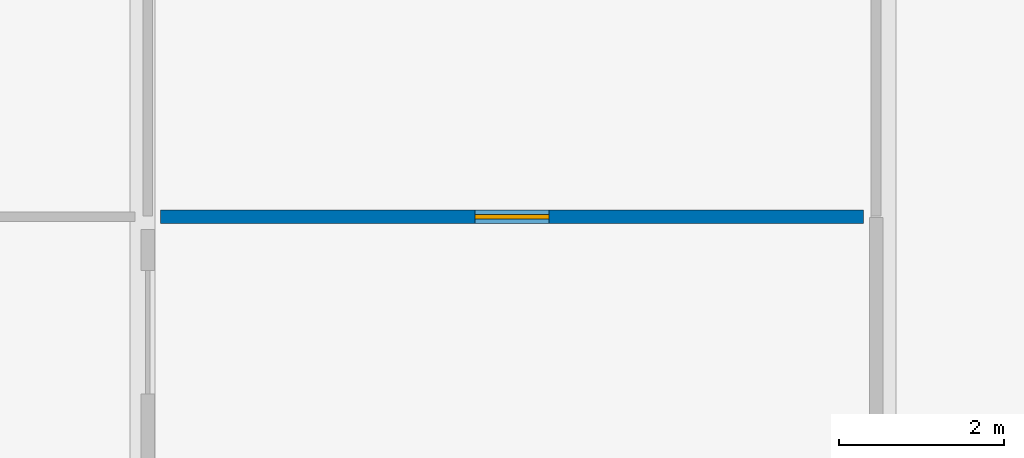
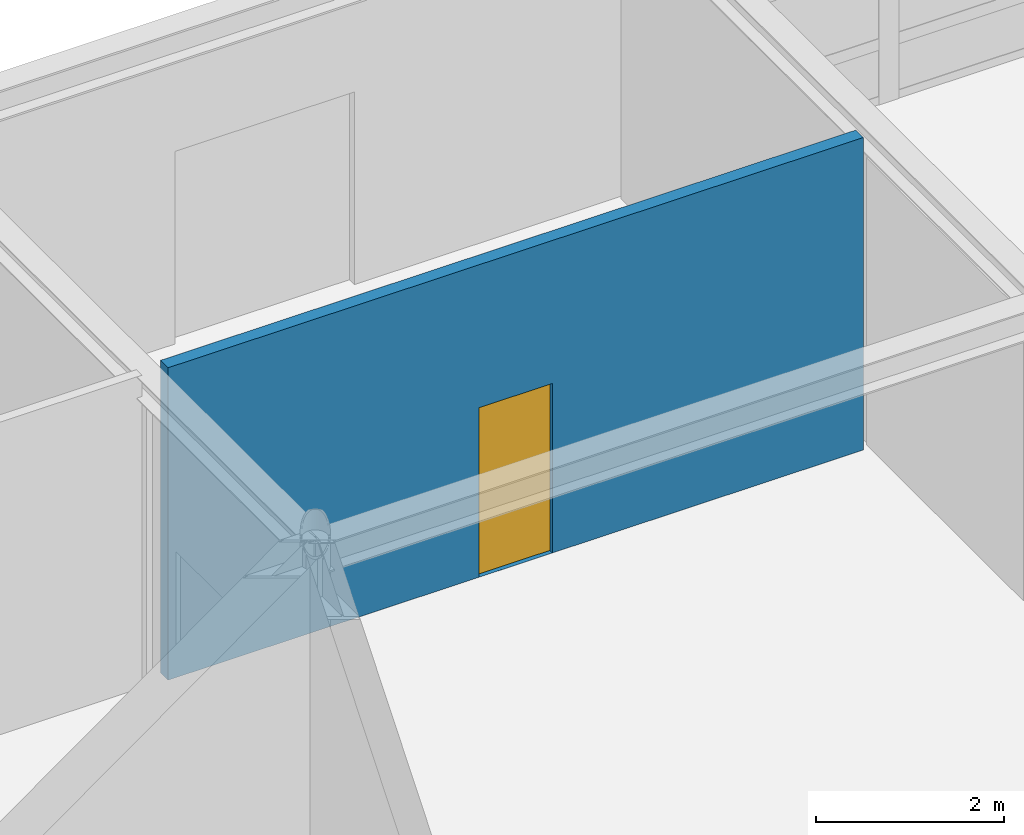
# One storey, part 60 of 72: 1 door, 1 wall, 1 opening.
"""IFC4 building model written with IfcOpenShell, lengths in metres."""

import ifcopenshell
import ifcopenshell.guid

model = None  # the IFC model being written
_history = None  # IfcOwnerHistory: only IFC2X3 demands one
_inside = {}  # id of a spatial element -> (the spatial element, [elements in it])
_under = {}  # id of a project, library or spatial element -> (it, [spatial elements below it])
_declared = {}  # id of a project -> (the project, [libraries it declares])
_typed = {}  # id of a type object -> (the type object, [elements of that type])
_made_of = {}  # id of a material, layer set ... -> (it, [elements and type objects made of it])


def new_model(schema):
    """Start an empty IFC model of exactly this schema.

    Asked for "IFC4X3", IfcOpenShell would pick the latest addendum, in which some entities
    have other attributes; the version numbers below select the first issue.
    IFC2X3 requires an IfcOwnerHistory on every rooted entity: one is made here for all.
    """
    global model, _history
    if schema == "IFC4X3":
        model = ifcopenshell.file(schema_version=(4, 3, 0, 0))
    else:
        model = ifcopenshell.file(schema=schema)
    _inside.clear()
    _under.clear()
    _declared.clear()
    _typed.clear()
    _made_of.clear()
    _history = None
    if model.schema == "IFC2X3":
        org = make("IfcOrganization", Name="unknown")
        user = make(
            "IfcPersonAndOrganization",
            ThePerson=make("IfcPerson", FamilyName="unknown"),
            TheOrganization=org,
        )
        app = make(
            "IfcApplication",
            ApplicationDeveloper=org,
            Version="unknown",
            ApplicationFullName="unknown",
            ApplicationIdentifier="unknown",
        )
        _history = make(
            "IfcOwnerHistory",
            OwningUser=user,
            OwningApplication=app,
            ChangeAction="ADDED",
            CreationDate=0,
        )
    return model


def make(cls, **values):
    """One entity of the class cls with the attributes given. An attribute that is None is left unset."""
    return model.create_entity(
        cls, **{name: value for name, value in values.items() if value is not None}
    )


def rooted(cls, **values):
    """An entity with a GlobalId (a new one), such as an element, a storey or a relation."""
    return make(cls, GlobalId=ifcopenshell.guid.new(), OwnerHistory=_history, **values)


def si_unit(unit_type, name, prefix=None):
    """IfcSIUnit, for example si_unit("LENGTHUNIT", "METRE", prefix="MILLI")."""
    return make("IfcSIUnit", UnitType=unit_type, Prefix=prefix, Name=name)


def assignment(units):
    """IfcUnitAssignment: the units of a project."""
    return None if units is None else make("IfcUnitAssignment", Units=units)


def point(xyz):
    """IfcCartesianPoint."""
    return None if xyz is None else make("IfcCartesianPoint", Coordinates=xyz)


def direction(xyz):
    """IfcDirection."""
    return None if xyz is None else make("IfcDirection", DirectionRatios=xyz)


def frame(location, z_axis=None, x_axis=None):
    """IfcAxis2Placement3D, a coordinate frame: its origin and axes. An axis left out is left unset."""
    return make(
        "IfcAxis2Placement3D",
        Location=point(location),
        Axis=direction(z_axis),
        RefDirection=direction(x_axis),
    )


def frame_2d(location, x_axis=None):
    """IfcAxis2Placement2D, a coordinate frame in the plane: its origin and x axis."""
    return make(
        "IfcAxis2Placement2D", Location=point(location), RefDirection=direction(x_axis)
    )


def origin():
    """The frame at (0, 0, 0) with its axes left unset."""
    return frame((0.0, 0.0, 0.0))


def place(relative_to, where):
    """IfcLocalPlacement: puts the frame where relative to a parent placement (None: the world)."""
    return make(
        "IfcLocalPlacement", PlacementRelTo=relative_to, RelativePlacement=where
    )


def context(
    kind, dimensions, precision=None, world=None, true_north=None, identifier=None
):
    """IfcGeometricRepresentationContext, for example the 3D "Model" context."""
    return make(
        "IfcGeometricRepresentationContext",
        ContextIdentifier=identifier,
        ContextType=kind,
        CoordinateSpaceDimension=dimensions,
        Precision=precision,
        WorldCoordinateSystem=world,
        TrueNorth=true_north,
    )


def subcontext(parent, identifier, kind, view, scale=None):
    """IfcGeometricRepresentationSubContext, for example "Body" below "Model"."""
    return make(
        "IfcGeometricRepresentationSubContext",
        ContextIdentifier=identifier,
        ContextType=kind,
        ParentContext=parent,
        TargetScale=scale,
        TargetView=view,
    )


def project(units=None, contexts=None):
    """IfcProject with its units and contexts."""
    return rooted(
        "IfcProject",
        Name="project",
        RepresentationContexts=contexts,
        UnitsInContext=assignment(units),
    )


def spatial(cls, under=None, at=None, **own):
    """A site, building, storey or space (cls), placed at a placement, below another one or the project."""
    s = rooted(cls, ObjectPlacement=at, **own)
    if under is not None:
        _under.setdefault(under.id(), (under, []))[1].append(s)
    return s


def profile(cls, at=None, kind="AREA", **sizes):
    """A parametric profile (cls). Its sizes go by their IFC names, for example OverallWidth=200.0."""
    return make(cls, ProfileType=kind, Position=at, **sizes)


def rectangle(**sizes):
    """IfcRectangleProfileDef."""
    return profile("IfcRectangleProfileDef", **sizes)


def extrude(swept, where, along, depth):
    """IfcExtrudedAreaSolid: the profile swept, set in the frame where, extruded along a direction by depth."""
    return make(
        "IfcExtrudedAreaSolid",
        SweptArea=swept,
        Position=where,
        ExtrudedDirection=direction(along),
        Depth=depth,
    )


def shape(context_of_items, identifier, shape_type, items):
    """IfcShapeRepresentation: the items that make up one representation, for example the "Body"."""
    return make(
        "IfcShapeRepresentation",
        ContextOfItems=context_of_items,
        RepresentationIdentifier=identifier,
        RepresentationType=shape_type,
        Items=items,
    )


def material(Name=None, Category=None):
    """IfcMaterial."""
    return make("IfcMaterial", Name=Name, Category=Category)


def layer(
    of_material, thickness, ventilated=None, Name=None, Category=None, Priority=None
):
    """IfcMaterialLayer: one layer of a wall or slab, of a material (None: an air gap)."""
    return make(
        "IfcMaterialLayer",
        Material=of_material,
        LayerThickness=thickness,
        IsVentilated=ventilated,
        Name=Name,
        Category=Category,
        Priority=Priority,
    )


def layer_set(layers, Name=None):
    """IfcMaterialLayerSet."""
    return make("IfcMaterialLayerSet", MaterialLayers=layers, LayerSetName=Name)


def made_of(thing, what):
    """Note that an element or type object is made of a material, layer set ...; save() writes the relation."""
    if what is not None:
        _made_of.setdefault(what.id(), (what, []))[1].append(thing)
    return thing


def type_object(cls, material=None, **own):
    """A type object (cls), such as IfcWallType, which elements share."""
    return made_of(rooted(cls, **own), material)


def element(
    cls,
    number,
    at=None,
    inside=None,
    cuts=None,
    type_object=None,
    material=None,
    context=None,
    identifier="Body",
    shape_type=None,
    held_by="IfcProductDefinitionShape",
    body=None,
    shapes=None,
    **own,
):
    """One element of the class cls, such as IfcWall. Its Tag is "e" and its number.

    at: its placement. inside: the storey or other place that contains it. cuts: it is an
    opening in that element (IfcRelVoidsElement). A single representation is given by context,
    identifier, shape_type and body (its items); several are given by shapes. held_by: the class
    of the entity that holds the representations. save() writes the other relations.
    """
    e = rooted(cls, Tag="e%d" % number, ObjectPlacement=at, **own)
    if body is not None:
        shapes = [shape(context, identifier, shape_type, body)]
    if shapes is not None:
        e.Representation = make(held_by, Representations=shapes)
    if inside is not None:
        _inside.setdefault(inside.id(), (inside, []))[1].append(e)
    if cuts is not None:
        rooted(
            "IfcRelVoidsElement", RelatingBuildingElement=cuts, RelatedOpeningElement=e
        )
    if type_object is not None:
        _typed.setdefault(type_object.id(), (type_object, []))[1].append(e)
    return made_of(e, material)


def fill(opening, filler):
    """IfcRelFillsElement: the door or window that sits in an opening."""
    return rooted(
        "IfcRelFillsElement",
        RelatingOpeningElement=opening,
        RelatedBuildingElement=filler,
    )


def aggregate(whole, parts):
    """IfcRelAggregates: a whole, such as a stair, and the parts it consists of."""
    return rooted("IfcRelAggregates", RelatingObject=whole, RelatedObjects=parts)


def save(model, path):
    """Write the relations noted so far, then the file.

    IfcRelAggregates (storeys below a building ...), IfcRelContainedInSpatialStructure (elements
    in a storey), IfcRelDefinesByType, IfcRelAssociatesMaterial and IfcRelDeclares: one each for
    every whole, place, type object, material and project.
    """
    for whole, parts in _under.values():
        aggregate(whole, parts)
    for where, things in _inside.values():
        rooted(
            "IfcRelContainedInSpatialStructure",
            RelatedElements=things,
            RelatingStructure=where,
        )
    for kind, things in _typed.values():
        rooted("IfcRelDefinesByType", RelatedObjects=things, RelatingType=kind)
    for what, things in _made_of.values():
        rooted("IfcRelAssociatesMaterial", RelatedObjects=things, RelatingMaterial=what)
    for by, libraries in _declared.values():
        rooted("IfcRelDeclares", RelatingContext=by, RelatedDefinitions=libraries)
    model.write(path)


model = new_model("IFC4")

# Units and contexts
model_context = context("Model", 3, precision=1e-05, world=origin(), true_north=direction((0.0, 1.0)))
body_context = subcontext(model_context, "Body", "Model", "MODEL_VIEW")
ifc_project = project(units=[si_unit("LENGTHUNIT", "METRE"), si_unit("AREAUNIT", "SQUARE_METRE"), si_unit("VOLUMEUNIT", "CUBIC_METRE"), si_unit("PLANEANGLEUNIT", "RADIAN"), si_unit("MASSUNIT", "GRAM", prefix="KILO")], contexts=[model_context])

# Site, building, storey
site_placement = place(None, origin())
site = spatial("IfcSite", under=ifc_project, at=site_placement, CompositionType="ELEMENT")
building_placement = place(site_placement, origin())
building = spatial("IfcBuilding", under=site, at=building_placement, Name="Palais des Congres Ocreval", CompositionType="ELEMENT")
storey_placement = place(building_placement, origin())
storey = spatial("IfcBuildingStorey", under=building, at=storey_placement, Name="L00", CompositionType="ELEMENT", Elevation=0.0)

# Wall, opening, door
ifc_material_1 = material(Name="Gypsum acoustic partition")
ifc_layer = layer(ifc_material_1, 0.159912109375)
ifc_layer_set = layer_set([ifc_layer], Name="Corridor Fire Partition 160 Gypsum (Gypsum acoustic partition)")
wall_type = type_object("IfcWallType", Name="Corridor Fire Partition 160 Gypsum", PredefinedType="PARTITIONING", material=ifc_layer_set)
wall_placement = place(storey_placement, frame((117.219970703125, 57.590087890625, 0.0), z_axis=(0.0, 0.0, 1.0), x_axis=(1.0, 0.0, 0.0)))
wall = element("IfcWall", 1, at=wall_placement, inside=storey, type_object=wall_type, Name="Interior Partition IW03 L00", PredefinedType="PARTITIONING", context=body_context, shape_type="SweptSolid", body=[
    extrude(rectangle(XDim=8.534912109375, YDim=0.159912109375, at=frame_2d((4.267578125, 0.0))), origin(), (0.0, 0.0, 1.0), 4.054931640625),
])
opening_placement = place(wall_placement, frame((3.8173828125, 0.0, 0.0)))
opening = element("IfcOpeningElement", 2, at=opening_placement, cuts=wall, Name="Opening D11", PredefinedType="OPENING", context=body_context, shape_type="SweptSolid", body=[
    extrude(rectangle(XDim=0.89990234375, YDim=2.199951171875, at=frame_2d((0.449951171875, 1.10009765625))), frame((0.0, 0.08984375, 0.0), z_axis=(0.0, -1.0, 0.0), x_axis=(1.0, 0.0, 0.0)), (0.0, 0.0, 1.0), 0.179931640625),
])
ifc_material_2 = material(Name="Solid French oak", Category="wood")
door_type = type_object("IfcDoorType", Name="Spa Treatment Cabin Door 900x2200", OperationType="NOTDEFINED", PredefinedType="DOOR", material=ifc_material_2)
door_placement = place(opening_placement, origin())
door = element("IfcDoor", 3, at=door_placement, inside=storey, type_object=door_type, Name="Interior Door D11 L00", OperationType="SINGLE_SWING_LEFT", OverallHeight=2.199951171875, OverallWidth=0.89990234375, PredefinedType="DOOR", context=body_context, shape_type="SweptSolid", body=[
    extrude(rectangle(XDim=0.89990234375, YDim=2.199951171875, at=frame_2d((0.449951171875, 1.10009765625))), frame((0.0, 0.02490234375, 0.0), z_axis=(0.0, -1.0, 0.0), x_axis=(1.0, 0.0, 0.0)), (0.0, 0.0, 1.0), 0.050048828125),
])
fill(opening, door)

save(model, "model.ifc")
